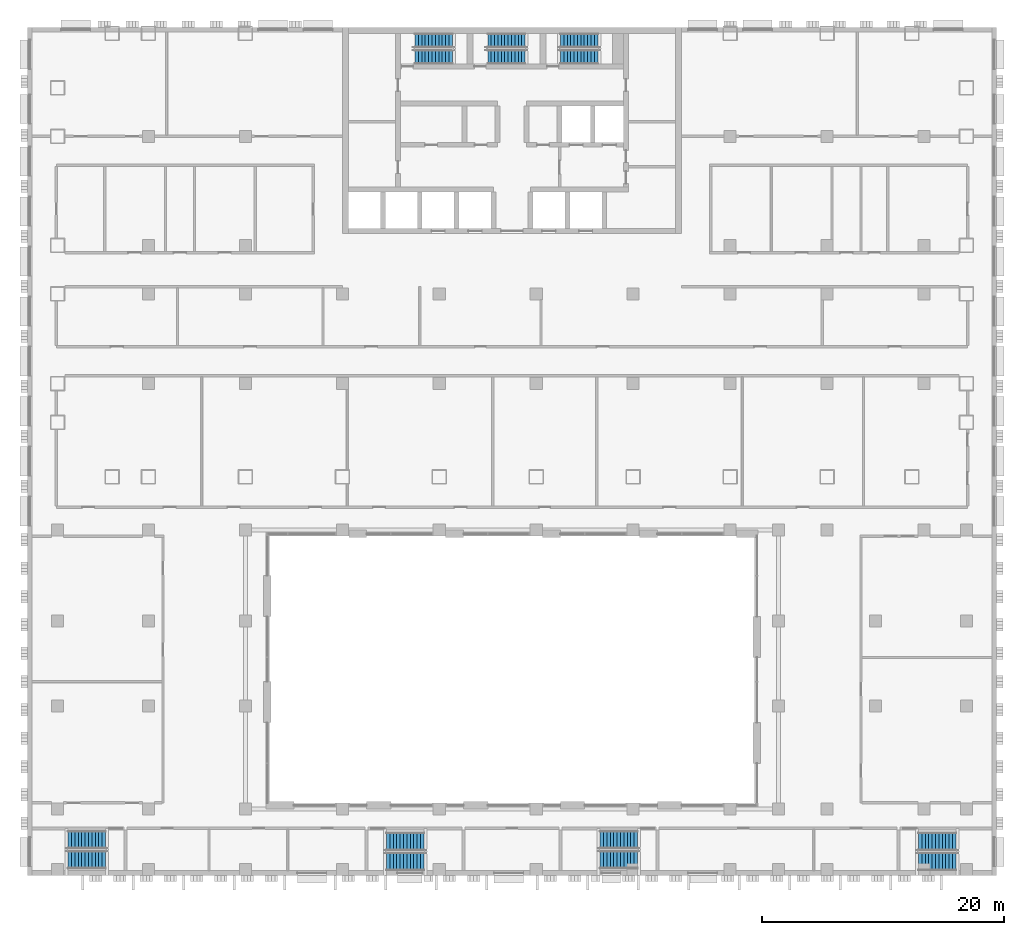
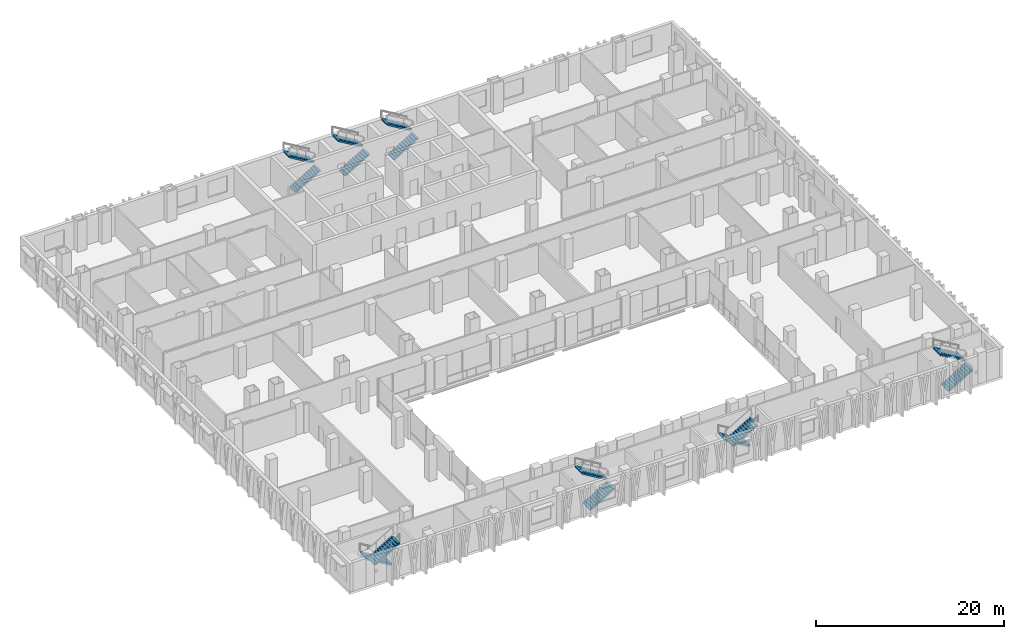
# One storey, part 17 of 25: 14 stair flights, 7 elements without a shape of their own.
"""IFC4 building model written with IfcOpenShell, lengths in metres."""

import ifcopenshell
import ifcopenshell.guid

model = None  # the IFC model being written
_history = None  # IfcOwnerHistory: only IFC2X3 demands one
_inside = {}  # id of a spatial element -> (the spatial element, [elements in it])
_under = {}  # id of a project, library or spatial element -> (it, [spatial elements below it])
_declared = {}  # id of a project -> (the project, [libraries it declares])
_typed = {}  # id of a type object -> (the type object, [elements of that type])
_made_of = {}  # id of a material, layer set ... -> (it, [elements and type objects made of it])


def new_model(schema):
    """Start an empty IFC model of exactly this schema.

    Asked for "IFC4X3", IfcOpenShell would pick the latest addendum, in which some entities
    have other attributes; the version numbers below select the first issue.
    IFC2X3 requires an IfcOwnerHistory on every rooted entity: one is made here for all.
    """
    global model, _history
    if schema == "IFC4X3":
        model = ifcopenshell.file(schema_version=(4, 3, 0, 0))
    else:
        model = ifcopenshell.file(schema=schema)
    _inside.clear()
    _under.clear()
    _declared.clear()
    _typed.clear()
    _made_of.clear()
    _history = None
    if model.schema == "IFC2X3":
        org = make("IfcOrganization", Name="unknown")
        user = make(
            "IfcPersonAndOrganization",
            ThePerson=make("IfcPerson", FamilyName="unknown"),
            TheOrganization=org,
        )
        app = make(
            "IfcApplication",
            ApplicationDeveloper=org,
            Version="unknown",
            ApplicationFullName="unknown",
            ApplicationIdentifier="unknown",
        )
        _history = make(
            "IfcOwnerHistory",
            OwningUser=user,
            OwningApplication=app,
            ChangeAction="ADDED",
            CreationDate=0,
        )
    return model


def make(cls, **values):
    """One entity of the class cls with the attributes given. An attribute that is None is left unset."""
    return model.create_entity(
        cls, **{name: value for name, value in values.items() if value is not None}
    )


def rooted(cls, **values):
    """An entity with a GlobalId (a new one), such as an element, a storey or a relation."""
    return make(cls, GlobalId=ifcopenshell.guid.new(), OwnerHistory=_history, **values)


def si_unit(unit_type, name, prefix=None):
    """IfcSIUnit, for example si_unit("LENGTHUNIT", "METRE", prefix="MILLI")."""
    return make("IfcSIUnit", UnitType=unit_type, Prefix=prefix, Name=name)


def assignment(units):
    """IfcUnitAssignment: the units of a project."""
    return None if units is None else make("IfcUnitAssignment", Units=units)


def point(xyz):
    """IfcCartesianPoint."""
    return None if xyz is None else make("IfcCartesianPoint", Coordinates=xyz)


def direction(xyz):
    """IfcDirection."""
    return None if xyz is None else make("IfcDirection", DirectionRatios=xyz)


def frame(location, z_axis=None, x_axis=None):
    """IfcAxis2Placement3D, a coordinate frame: its origin and axes. An axis left out is left unset."""
    return make(
        "IfcAxis2Placement3D",
        Location=point(location),
        Axis=direction(z_axis),
        RefDirection=direction(x_axis),
    )


def origin():
    """The frame at (0, 0, 0) with its axes left unset."""
    return frame((0.0, 0.0, 0.0))


def place(relative_to, where):
    """IfcLocalPlacement: puts the frame where relative to a parent placement (None: the world)."""
    return make(
        "IfcLocalPlacement", PlacementRelTo=relative_to, RelativePlacement=where
    )


def context(
    kind, dimensions, precision=None, world=None, true_north=None, identifier=None
):
    """IfcGeometricRepresentationContext, for example the 3D "Model" context."""
    return make(
        "IfcGeometricRepresentationContext",
        ContextIdentifier=identifier,
        ContextType=kind,
        CoordinateSpaceDimension=dimensions,
        Precision=precision,
        WorldCoordinateSystem=world,
        TrueNorth=true_north,
    )


def subcontext(parent, identifier, kind, view, scale=None):
    """IfcGeometricRepresentationSubContext, for example "Body" below "Model"."""
    return make(
        "IfcGeometricRepresentationSubContext",
        ContextIdentifier=identifier,
        ContextType=kind,
        ParentContext=parent,
        TargetScale=scale,
        TargetView=view,
    )


def project(units=None, contexts=None):
    """IfcProject with its units and contexts."""
    return rooted(
        "IfcProject",
        Name="project",
        RepresentationContexts=contexts,
        UnitsInContext=assignment(units),
    )


def spatial(cls, under=None, at=None, **own):
    """A site, building, storey or space (cls), placed at a placement, below another one or the project."""
    s = rooted(cls, ObjectPlacement=at, **own)
    if under is not None:
        _under.setdefault(under.id(), (under, []))[1].append(s)
    return s


def polyline(points):
    """IfcPolyline through the points."""
    return make("IfcPolyline", Points=[point(p) for p in points])


def outline(outer, holes=None, kind="AREA"):
    """IfcArbitraryClosedProfileDef: a profile drawn as a closed curve; with holes, ...WithVoids."""
    if holes is None:
        return make("IfcArbitraryClosedProfileDef", ProfileType=kind, OuterCurve=outer)
    return make(
        "IfcArbitraryProfileDefWithVoids",
        ProfileType=kind,
        OuterCurve=outer,
        InnerCurves=holes,
    )


def extrude(swept, where, along, depth):
    """IfcExtrudedAreaSolid: the profile swept, set in the frame where, extruded along a direction by depth."""
    return make(
        "IfcExtrudedAreaSolid",
        SweptArea=swept,
        Position=where,
        ExtrudedDirection=direction(along),
        Depth=depth,
    )


def shape(context_of_items, identifier, shape_type, items):
    """IfcShapeRepresentation: the items that make up one representation, for example the "Body"."""
    return make(
        "IfcShapeRepresentation",
        ContextOfItems=context_of_items,
        RepresentationIdentifier=identifier,
        RepresentationType=shape_type,
        Items=items,
    )


def material(Name=None, Category=None):
    """IfcMaterial."""
    return make("IfcMaterial", Name=Name, Category=Category)


def made_of(thing, what):
    """Note that an element or type object is made of a material, layer set ...; save() writes the relation."""
    if what is not None:
        _made_of.setdefault(what.id(), (what, []))[1].append(thing)
    return thing


def type_object(cls, material=None, **own):
    """A type object (cls), such as IfcWallType, which elements share."""
    return made_of(rooted(cls, **own), material)


def element(
    cls,
    number,
    at=None,
    inside=None,
    cuts=None,
    type_object=None,
    material=None,
    context=None,
    identifier="Body",
    shape_type=None,
    held_by="IfcProductDefinitionShape",
    body=None,
    shapes=None,
    **own,
):
    """One element of the class cls, such as IfcWall. Its Tag is "e" and its number.

    at: its placement. inside: the storey or other place that contains it. cuts: it is an
    opening in that element (IfcRelVoidsElement). A single representation is given by context,
    identifier, shape_type and body (its items); several are given by shapes. held_by: the class
    of the entity that holds the representations. save() writes the other relations.
    """
    e = rooted(cls, Tag="e%d" % number, ObjectPlacement=at, **own)
    if body is not None:
        shapes = [shape(context, identifier, shape_type, body)]
    if shapes is not None:
        e.Representation = make(held_by, Representations=shapes)
    if inside is not None:
        _inside.setdefault(inside.id(), (inside, []))[1].append(e)
    if cuts is not None:
        rooted(
            "IfcRelVoidsElement", RelatingBuildingElement=cuts, RelatedOpeningElement=e
        )
    if type_object is not None:
        _typed.setdefault(type_object.id(), (type_object, []))[1].append(e)
    return made_of(e, material)


def aggregate(whole, parts):
    """IfcRelAggregates: a whole, such as a stair, and the parts it consists of."""
    return rooted("IfcRelAggregates", RelatingObject=whole, RelatedObjects=parts)


def save(model, path):
    """Write the relations noted so far, then the file.

    IfcRelAggregates (storeys below a building ...), IfcRelContainedInSpatialStructure (elements
    in a storey), IfcRelDefinesByType, IfcRelAssociatesMaterial and IfcRelDeclares: one each for
    every whole, place, type object, material and project.
    """
    for whole, parts in _under.values():
        aggregate(whole, parts)
    for where, things in _inside.values():
        rooted(
            "IfcRelContainedInSpatialStructure",
            RelatedElements=things,
            RelatingStructure=where,
        )
    for kind, things in _typed.values():
        rooted("IfcRelDefinesByType", RelatedObjects=things, RelatingType=kind)
    for what, things in _made_of.values():
        rooted("IfcRelAssociatesMaterial", RelatedObjects=things, RelatingMaterial=what)
    for by, libraries in _declared.values():
        rooted("IfcRelDeclares", RelatingContext=by, RelatedDefinitions=libraries)
    model.write(path)


model = new_model("IFC4")

# Units and contexts
model_context = context("Model", 3, precision=1e-05, world=origin(), true_north=direction((0.0, 1.0)))
body_context = subcontext(model_context, "Body", "Model", "MODEL_VIEW")
ifc_project = project(units=[si_unit("LENGTHUNIT", "METRE"), si_unit("AREAUNIT", "SQUARE_METRE"), si_unit("VOLUMEUNIT", "CUBIC_METRE"), si_unit("PLANEANGLEUNIT", "RADIAN"), si_unit("MASSUNIT", "GRAM", prefix="KILO")], contexts=[model_context])

# Site, building, storey
site_placement = place(None, origin())
site = spatial("IfcSite", under=ifc_project, at=site_placement, CompositionType="ELEMENT")
building_placement = place(site_placement, origin())
building = spatial("IfcBuilding", under=site, at=building_placement, Name="Vidyagriha Tower", CompositionType="ELEMENT")
storey_placement = place(building_placement, frame((0.0, 0.0, 14.0)))
storey = spatial("IfcBuildingStorey", under=building, at=storey_placement, Name="L03", CompositionType="ELEMENT", Elevation=14.0)

# Stair, stair flights
ifc_material_1 = material(Name="Concrete C40/50", Category="concrete")
stair_type_1 = type_object("IfcStairType", Name="Exit stair, half-turn, precast flights", PredefinedType="HALF_TURN_STAIR", material=ifc_material_1)
stair_1_placement = place(storey_placement, origin())
stair_1 = element("IfcStair", 1, at=stair_1_placement, inside=storey, type_object=stair_type_1, Name="L03 Exit Stair ST1", PredefinedType="HALF_TURN_STAIR")
ifc_material_2 = material(Name="Precast concrete C40/50", Category="concrete")
stair_flight_type_1 = type_object("IfcStairFlightType", Name="Exit stair flight 1200 mm, precast", PredefinedType="STRAIGHT", material=ifc_material_2)
stair_flight_1_placement = place(storey_placement, frame((-8.0, 17.550048828125, 0.0)))
stair_flight_1 = element("IfcStairFlight", 2, at=stair_flight_1_placement, type_object=stair_flight_type_1, Name="ST1 flight 1", NumberOfRisers=12, NumberOfTreads=11, PredefinedType="STRAIGHT", RiserHeight=0.166666667, TreadLength=0.28, context=body_context, shape_type="SweptSolid", body=[
    extrude(outline(polyline([(0.0, 0.0), (0.0, 0.166748046875), (0.280029296875, 0.166748046875), (0.280029296875, 0.333251953125), (0.56005859375, 0.333251953125), (0.56005859375, 0.5), (0.840087890625, 0.5), (0.840087890625, 0.666748046875), (1.1201171875, 0.666748046875), (1.1201171875, 0.833251953125), (1.39990234375, 0.833251953125), (1.39990234375, 1.0), (1.679931640625, 1.0), (1.679931640625, 1.166748046875), (1.9599609375, 1.166748046875), (1.9599609375, 1.333251953125), (2.239990234375, 1.333251953125), (2.239990234375, 1.5), (2.52001953125, 1.5), (2.52001953125, 1.666748046875), (2.800048828125, 1.666748046875), (2.800048828125, 1.833251953125), (3.080078125, 1.833251953125), (3.080078125, 2.0), (3.080078125, 1.658935546875), (0.29296875, 0.0), (0.0, 0.0)])), frame((0.0, 0.60009765625, 0.0), z_axis=(0.0, -1.0, 0.0), x_axis=(1.0, 0.0, 0.0)), (0.0, 0.0, 1.0), 1.199951171875),
])
stair_flight_2_placement = place(storey_placement, frame((-4.919921875, 18.89990234375, 2.0), z_axis=(0.0, 0.0, 1.0), x_axis=(-1.0, 0.0, 0.0)))
stair_flight_2 = element("IfcStairFlight", 3, at=stair_flight_2_placement, type_object=stair_flight_type_1, Name="ST1 flight 2", NumberOfRisers=12, NumberOfTreads=11, PredefinedType="STRAIGHT", RiserHeight=0.166666667, TreadLength=0.28, context=body_context, shape_type="SweptSolid", body=[
    extrude(outline(polyline([(0.0, 0.0), (0.0, 0.166748046875), (0.280029296875, 0.166748046875), (0.280029296875, 0.333251953125), (0.56005859375, 0.333251953125), (0.56005859375, 0.5), (0.840087890625, 0.5), (0.840087890625, 0.666748046875), (1.1201171875, 0.666748046875), (1.1201171875, 0.833251953125), (1.39990234375, 0.833251953125), (1.39990234375, 1.0), (1.679931640625, 1.0), (1.679931640625, 1.166748046875), (1.9599609375, 1.166748046875), (1.9599609375, 1.333251953125), (2.239990234375, 1.333251953125), (2.239990234375, 1.5), (2.52001953125, 1.5), (2.52001953125, 1.666748046875), (2.800048828125, 1.666748046875), (2.800048828125, 1.833251953125), (3.080078125, 1.833251953125), (3.080078125, 2.0), (3.080078125, 1.658935546875), (0.29296875, 0.0), (0.0, 0.0)])), frame((0.0, 0.60009765625, 0.0), z_axis=(0.0, -1.0, 0.0), x_axis=(1.0, 0.0, 0.0)), (0.0, 0.0, 1.0), 1.199951171875),
])
aggregate(stair_1, [stair_flight_1, stair_flight_2])

stair_2_placement = place(storey_placement, origin())
stair_2 = element("IfcStair", 4, at=stair_2_placement, inside=storey, type_object=stair_type_1, Name="L03 Exit Stair ST2", PredefinedType="HALF_TURN_STAIR")
stair_flight_3_placement = place(storey_placement, frame((-2.0, 17.550048828125, 0.0)))
stair_flight_3 = element("IfcStairFlight", 5, at=stair_flight_3_placement, type_object=stair_flight_type_1, Name="ST2 flight 1", NumberOfRisers=12, NumberOfTreads=11, PredefinedType="STRAIGHT", RiserHeight=0.166666667, TreadLength=0.28, context=body_context, shape_type="SweptSolid", body=[
    extrude(outline(polyline([(0.0, 0.0), (0.0, 0.166748046875), (0.280029296875, 0.166748046875), (0.280029296875, 0.333251953125), (0.56005859375, 0.333251953125), (0.56005859375, 0.5), (0.840087890625, 0.5), (0.840087890625, 0.666748046875), (1.1201171875, 0.666748046875), (1.1201171875, 0.833251953125), (1.39990234375, 0.833251953125), (1.39990234375, 1.0), (1.679931640625, 1.0), (1.679931640625, 1.166748046875), (1.9599609375, 1.166748046875), (1.9599609375, 1.333251953125), (2.239990234375, 1.333251953125), (2.239990234375, 1.5), (2.52001953125, 1.5), (2.52001953125, 1.666748046875), (2.800048828125, 1.666748046875), (2.800048828125, 1.833251953125), (3.080078125, 1.833251953125), (3.080078125, 2.0), (3.080078125, 1.658935546875), (0.29296875, 0.0), (0.0, 0.0)])), frame((0.0, 0.60009765625, 0.0), z_axis=(0.0, -1.0, 0.0), x_axis=(1.0, 0.0, 0.0)), (0.0, 0.0, 1.0), 1.199951171875),
])
stair_flight_4_placement = place(storey_placement, frame((1.080078125, 18.89990234375, 2.0), z_axis=(0.0, 0.0, 1.0), x_axis=(-1.0, 0.0, 0.0)))
stair_flight_4 = element("IfcStairFlight", 6, at=stair_flight_4_placement, type_object=stair_flight_type_1, Name="ST2 flight 2", NumberOfRisers=12, NumberOfTreads=11, PredefinedType="STRAIGHT", RiserHeight=0.166666667, TreadLength=0.28, context=body_context, shape_type="SweptSolid", body=[
    extrude(outline(polyline([(0.0, 0.0), (0.0, 0.166748046875), (0.280029296875, 0.166748046875), (0.280029296875, 0.333251953125), (0.56005859375, 0.333251953125), (0.56005859375, 0.5), (0.840087890625, 0.5), (0.840087890625, 0.666748046875), (1.1201171875, 0.666748046875), (1.1201171875, 0.833251953125), (1.39990234375, 0.833251953125), (1.39990234375, 1.0), (1.679931640625, 1.0), (1.679931640625, 1.166748046875), (1.9599609375, 1.166748046875), (1.9599609375, 1.333251953125), (2.239990234375, 1.333251953125), (2.239990234375, 1.5), (2.52001953125, 1.5), (2.52001953125, 1.666748046875), (2.800048828125, 1.666748046875), (2.800048828125, 1.833251953125), (3.080078125, 1.833251953125), (3.080078125, 2.0), (3.080078125, 1.658935546875), (0.29296875, 0.0), (0.0, 0.0)])), frame((0.0, 0.60009765625, 0.0), z_axis=(0.0, -1.0, 0.0), x_axis=(1.0, 0.0, 0.0)), (0.0, 0.0, 1.0), 1.199951171875),
])
aggregate(stair_2, [stair_flight_3, stair_flight_4])

stair_3_placement = place(storey_placement, origin())
stair_3 = element("IfcStair", 7, at=stair_3_placement, inside=storey, type_object=stair_type_1, Name="L03 Exit Stair ST3", PredefinedType="HALF_TURN_STAIR")
stair_flight_5_placement = place(storey_placement, frame((4.0, 17.550048828125, 0.0)))
stair_flight_5 = element("IfcStairFlight", 8, at=stair_flight_5_placement, type_object=stair_flight_type_1, Name="ST3 flight 1", NumberOfRisers=12, NumberOfTreads=11, PredefinedType="STRAIGHT", RiserHeight=0.166666667, TreadLength=0.28, context=body_context, shape_type="SweptSolid", body=[
    extrude(outline(polyline([(0.0, 0.0), (0.0, 0.166748046875), (0.280029296875, 0.166748046875), (0.280029296875, 0.333251953125), (0.56005859375, 0.333251953125), (0.56005859375, 0.5), (0.840087890625, 0.5), (0.840087890625, 0.666748046875), (1.1201171875, 0.666748046875), (1.1201171875, 0.833251953125), (1.39990234375, 0.833251953125), (1.39990234375, 1.0), (1.679931640625, 1.0), (1.679931640625, 1.166748046875), (1.9599609375, 1.166748046875), (1.9599609375, 1.333251953125), (2.239990234375, 1.333251953125), (2.239990234375, 1.5), (2.52001953125, 1.5), (2.52001953125, 1.666748046875), (2.800048828125, 1.666748046875), (2.800048828125, 1.833251953125), (3.080078125, 1.833251953125), (3.080078125, 2.0), (3.080078125, 1.658935546875), (0.29296875, 0.0), (0.0, 0.0)])), frame((0.0, 0.60009765625, 0.0), z_axis=(0.0, -1.0, 0.0), x_axis=(1.0, 0.0, 0.0)), (0.0, 0.0, 1.0), 1.199951171875),
])
stair_flight_6_placement = place(storey_placement, frame((7.080078125, 18.89990234375, 2.0), z_axis=(0.0, 0.0, 1.0), x_axis=(-1.0, 0.0, 0.0)))
stair_flight_6 = element("IfcStairFlight", 9, at=stair_flight_6_placement, type_object=stair_flight_type_1, Name="ST3 flight 2", NumberOfRisers=12, NumberOfTreads=11, PredefinedType="STRAIGHT", RiserHeight=0.166666667, TreadLength=0.28, context=body_context, shape_type="SweptSolid", body=[
    extrude(outline(polyline([(0.0, 0.0), (0.0, 0.166748046875), (0.280029296875, 0.166748046875), (0.280029296875, 0.333251953125), (0.56005859375, 0.333251953125), (0.56005859375, 0.5), (0.840087890625, 0.5), (0.840087890625, 0.666748046875), (1.1201171875, 0.666748046875), (1.1201171875, 0.833251953125), (1.39990234375, 0.833251953125), (1.39990234375, 1.0), (1.679931640625, 1.0), (1.679931640625, 1.166748046875), (1.9599609375, 1.166748046875), (1.9599609375, 1.333251953125), (2.239990234375, 1.333251953125), (2.239990234375, 1.5), (2.52001953125, 1.5), (2.52001953125, 1.666748046875), (2.800048828125, 1.666748046875), (2.800048828125, 1.833251953125), (3.080078125, 1.833251953125), (3.080078125, 2.0), (3.080078125, 1.658935546875), (0.29296875, 0.0), (0.0, 0.0)])), frame((0.0, 0.60009765625, 0.0), z_axis=(0.0, -1.0, 0.0), x_axis=(1.0, 0.0, 0.0)), (0.0, 0.0, 1.0), 1.199951171875),
])
aggregate(stair_3, [stair_flight_5, stair_flight_6])

ifc_material_3 = material(Name="Concrete C32/40", Category="concrete")
stair_type_2 = type_object("IfcStairType", Name="Podium Exit Stair 1500", PredefinedType="HALF_TURN_STAIR", material=ifc_material_3)
stair_4_placement = place(storey_placement, origin())
stair_4 = element("IfcStair", 10, at=stair_4_placement, inside=storey, type_object=stair_type_2, Name="L03 Exit Stair PS1", PredefinedType="HALF_TURN_STAIR")
ifc_material_4 = material(Name="Concrete C32/40", Category="concrete")
stair_flight_type_2 = type_object("IfcStairFlightType", Name="Podium Stair Flight 1500", PredefinedType="STRAIGHT", material=ifc_material_4)
stair_flight_7_placement = place(storey_placement, frame((-33.544921875, -47.050048828125, 0.0), z_axis=(0.0, 0.0, 1.0), x_axis=(-1.0, 0.0, 0.0)))
stair_flight_7 = element("IfcStairFlight", 11, at=stair_flight_7_placement, type_object=stair_flight_type_2, Name="PS1 flight 1", NumberOfRisers=12, NumberOfTreads=11, PredefinedType="STRAIGHT", RiserHeight=0.166666667, TreadLength=0.28, context=body_context, shape_type="SweptSolid", body=[
    extrude(outline(polyline([(0.0, 0.0), (0.0, 0.166748046875), (0.280029296875, 0.166748046875), (0.280029296875, 0.333251953125), (0.56005859375, 0.333251953125), (0.56005859375, 0.5), (0.840087890625, 0.5), (0.840087890625, 0.666748046875), (1.1201171875, 0.666748046875), (1.1201171875, 0.833251953125), (1.39990234375, 0.833251953125), (1.39990234375, 1.0), (1.679931640625, 1.0), (1.679931640625, 1.166748046875), (1.9599609375, 1.166748046875), (1.9599609375, 1.333251953125), (2.239990234375, 1.333251953125), (2.239990234375, 1.5), (2.52001953125, 1.5), (2.52001953125, 1.666748046875), (2.800048828125, 1.666748046875), (2.800048828125, 1.833251953125), (3.080078125, 1.833251953125), (3.080078125, 2.0), (3.080078125, 1.658935546875), (0.29296875, 0.0), (0.0, 0.0)])), frame((0.0, 0.75, 0.0), z_axis=(0.0, -1.0, 0.0), x_axis=(1.0, 0.0, 0.0)), (0.0, 0.0, 1.0), 1.5),
])
stair_flight_8_placement = place(storey_placement, frame((-36.625, -48.699951171875, 2.0)))
stair_flight_8 = element("IfcStairFlight", 12, at=stair_flight_8_placement, type_object=stair_flight_type_2, Name="PS1 flight 2", NumberOfRisers=12, NumberOfTreads=11, PredefinedType="STRAIGHT", RiserHeight=0.166666667, TreadLength=0.28, context=body_context, shape_type="SweptSolid", body=[
    extrude(outline(polyline([(0.0, 0.0), (0.0, 0.166748046875), (0.280029296875, 0.166748046875), (0.280029296875, 0.333251953125), (0.56005859375, 0.333251953125), (0.56005859375, 0.5), (0.840087890625, 0.5), (0.840087890625, 0.666748046875), (1.1201171875, 0.666748046875), (1.1201171875, 0.833251953125), (1.39990234375, 0.833251953125), (1.39990234375, 1.0), (1.679931640625, 1.0), (1.679931640625, 1.166748046875), (1.9599609375, 1.166748046875), (1.9599609375, 1.333251953125), (2.239990234375, 1.333251953125), (2.239990234375, 1.5), (2.52001953125, 1.5), (2.52001953125, 1.666748046875), (2.800048828125, 1.666748046875), (2.800048828125, 1.833251953125), (3.080078125, 1.833251953125), (3.080078125, 2.0), (3.080078125, 1.658935546875), (0.29296875, 0.0), (0.0, 0.0)])), frame((0.0, 0.75, 0.0), z_axis=(0.0, -1.0, 0.0), x_axis=(1.0, 0.0, 0.0)), (0.0, 0.0, 1.0), 1.5),
])
aggregate(stair_4, [stair_flight_7, stair_flight_8])

stair_5_placement = place(storey_placement, origin())
stair_5 = element("IfcStair", 13, at=stair_5_placement, inside=storey, type_object=stair_type_2, Name="L03 Exit Stair PS2", PredefinedType="HALF_TURN_STAIR")
stair_flight_9_placement = place(storey_placement, frame((33.544921875, -48.85009765625, 0.0)))
stair_flight_9 = element("IfcStairFlight", 14, at=stair_flight_9_placement, type_object=stair_flight_type_2, Name="PS2 flight 1", NumberOfRisers=12, NumberOfTreads=11, PredefinedType="STRAIGHT", RiserHeight=0.166666667, TreadLength=0.28, context=body_context, shape_type="SweptSolid", body=[
    extrude(outline(polyline([(0.0, 0.0), (0.0, 0.166748046875), (0.280029296875, 0.166748046875), (0.280029296875, 0.333251953125), (0.56005859375, 0.333251953125), (0.56005859375, 0.5), (0.840087890625, 0.5), (0.840087890625, 0.666748046875), (1.1201171875, 0.666748046875), (1.1201171875, 0.833251953125), (1.39990234375, 0.833251953125), (1.39990234375, 1.0), (1.679931640625, 1.0), (1.679931640625, 1.166748046875), (1.9599609375, 1.166748046875), (1.9599609375, 1.333251953125), (2.239990234375, 1.333251953125), (2.239990234375, 1.5), (2.52001953125, 1.5), (2.52001953125, 1.666748046875), (2.800048828125, 1.666748046875), (2.800048828125, 1.833251953125), (3.080078125, 1.833251953125), (3.080078125, 2.0), (3.080078125, 1.658935546875), (0.29296875, 0.0), (0.0, 0.0)])), frame((0.0, 0.75, 0.0), z_axis=(0.0, -1.0, 0.0), x_axis=(1.0, 0.0, 0.0)), (0.0, 0.0, 1.0), 1.5),
])
stair_flight_10_placement = place(storey_placement, frame((36.625, -47.199951171875, 2.0), z_axis=(0.0, 0.0, 1.0), x_axis=(-1.0, 0.0, 0.0)))
stair_flight_10 = element("IfcStairFlight", 15, at=stair_flight_10_placement, type_object=stair_flight_type_2, Name="PS2 flight 2", NumberOfRisers=12, NumberOfTreads=11, PredefinedType="STRAIGHT", RiserHeight=0.166666667, TreadLength=0.28, context=body_context, shape_type="SweptSolid", body=[
    extrude(outline(polyline([(0.0, 0.0), (0.0, 0.166748046875), (0.280029296875, 0.166748046875), (0.280029296875, 0.333251953125), (0.56005859375, 0.333251953125), (0.56005859375, 0.5), (0.840087890625, 0.5), (0.840087890625, 0.666748046875), (1.1201171875, 0.666748046875), (1.1201171875, 0.833251953125), (1.39990234375, 0.833251953125), (1.39990234375, 1.0), (1.679931640625, 1.0), (1.679931640625, 1.166748046875), (1.9599609375, 1.166748046875), (1.9599609375, 1.333251953125), (2.239990234375, 1.333251953125), (2.239990234375, 1.5), (2.52001953125, 1.5), (2.52001953125, 1.666748046875), (2.800048828125, 1.666748046875), (2.800048828125, 1.833251953125), (3.080078125, 1.833251953125), (3.080078125, 2.0), (3.080078125, 1.658935546875), (0.29296875, 0.0), (0.0, 0.0)])), frame((0.0, 0.75, 0.0), z_axis=(0.0, -1.0, 0.0), x_axis=(1.0, 0.0, 0.0)), (0.0, 0.0, 1.0), 1.5),
])
aggregate(stair_5, [stair_flight_9, stair_flight_10])

stair_6_placement = place(storey_placement, origin())
stair_6 = element("IfcStair", 16, at=stair_6_placement, inside=storey, type_object=stair_type_2, Name="L03 Exit Stair PS3", PredefinedType="HALF_TURN_STAIR")
stair_flight_11_placement = place(storey_placement, frame((-10.35498046875, -48.85009765625, 0.0)))
stair_flight_11 = element("IfcStairFlight", 17, at=stair_flight_11_placement, type_object=stair_flight_type_2, Name="PS3 flight 1", NumberOfRisers=12, NumberOfTreads=11, PredefinedType="STRAIGHT", RiserHeight=0.166666667, TreadLength=0.28, context=body_context, shape_type="SweptSolid", body=[
    extrude(outline(polyline([(0.0, 0.0), (0.0, 0.166748046875), (0.280029296875, 0.166748046875), (0.280029296875, 0.333251953125), (0.56005859375, 0.333251953125), (0.56005859375, 0.5), (0.840087890625, 0.5), (0.840087890625, 0.666748046875), (1.1201171875, 0.666748046875), (1.1201171875, 0.833251953125), (1.39990234375, 0.833251953125), (1.39990234375, 1.0), (1.679931640625, 1.0), (1.679931640625, 1.166748046875), (1.9599609375, 1.166748046875), (1.9599609375, 1.333251953125), (2.239990234375, 1.333251953125), (2.239990234375, 1.5), (2.52001953125, 1.5), (2.52001953125, 1.666748046875), (2.800048828125, 1.666748046875), (2.800048828125, 1.833251953125), (3.080078125, 1.833251953125), (3.080078125, 2.0), (3.080078125, 1.658935546875), (0.29296875, 0.0), (0.0, 0.0)])), frame((0.0, 0.75, 0.0), z_axis=(0.0, -1.0, 0.0), x_axis=(1.0, 0.0, 0.0)), (0.0, 0.0, 1.0), 1.5),
])
stair_flight_12_placement = place(storey_placement, frame((-7.27490234375, -47.199951171875, 2.0), z_axis=(0.0, 0.0, 1.0), x_axis=(-1.0, 0.0, 0.0)))
stair_flight_12 = element("IfcStairFlight", 18, at=stair_flight_12_placement, type_object=stair_flight_type_2, Name="PS3 flight 2", NumberOfRisers=12, NumberOfTreads=11, PredefinedType="STRAIGHT", RiserHeight=0.166666667, TreadLength=0.28, context=body_context, shape_type="SweptSolid", body=[
    extrude(outline(polyline([(0.0, 0.0), (0.0, 0.166748046875), (0.280029296875, 0.166748046875), (0.280029296875, 0.333251953125), (0.56005859375, 0.333251953125), (0.56005859375, 0.5), (0.840087890625, 0.5), (0.840087890625, 0.666748046875), (1.1201171875, 0.666748046875), (1.1201171875, 0.833251953125), (1.39990234375, 0.833251953125), (1.39990234375, 1.0), (1.679931640625, 1.0), (1.679931640625, 1.166748046875), (1.9599609375, 1.166748046875), (1.9599609375, 1.333251953125), (2.239990234375, 1.333251953125), (2.239990234375, 1.5), (2.52001953125, 1.5), (2.52001953125, 1.666748046875), (2.800048828125, 1.666748046875), (2.800048828125, 1.833251953125), (3.080078125, 1.833251953125), (3.080078125, 2.0), (3.080078125, 1.658935546875), (0.29296875, 0.0), (0.0, 0.0)])), frame((0.0, 0.75, 0.0), z_axis=(0.0, -1.0, 0.0), x_axis=(1.0, 0.0, 0.0)), (0.0, 0.0, 1.0), 1.5),
])
aggregate(stair_6, [stair_flight_11, stair_flight_12])

stair_7_placement = place(storey_placement, origin())
stair_7 = element("IfcStair", 19, at=stair_7_placement, inside=storey, type_object=stair_type_2, Name="L03 Exit Stair PS4", PredefinedType="HALF_TURN_STAIR")
stair_flight_13_placement = place(storey_placement, frame((10.35498046875, -47.050048828125, 0.0), z_axis=(0.0, 0.0, 1.0), x_axis=(-1.0, 0.0, 0.0)))
stair_flight_13 = element("IfcStairFlight", 20, at=stair_flight_13_placement, type_object=stair_flight_type_2, Name="PS4 flight 1", NumberOfRisers=12, NumberOfTreads=11, PredefinedType="STRAIGHT", RiserHeight=0.166666667, TreadLength=0.28, context=body_context, shape_type="SweptSolid", body=[
    extrude(outline(polyline([(0.0, 0.0), (0.0, 0.166748046875), (0.280029296875, 0.166748046875), (0.280029296875, 0.333251953125), (0.56005859375, 0.333251953125), (0.56005859375, 0.5), (0.840087890625, 0.5), (0.840087890625, 0.666748046875), (1.1201171875, 0.666748046875), (1.1201171875, 0.833251953125), (1.39990234375, 0.833251953125), (1.39990234375, 1.0), (1.679931640625, 1.0), (1.679931640625, 1.166748046875), (1.9599609375, 1.166748046875), (1.9599609375, 1.333251953125), (2.239990234375, 1.333251953125), (2.239990234375, 1.5), (2.52001953125, 1.5), (2.52001953125, 1.666748046875), (2.800048828125, 1.666748046875), (2.800048828125, 1.833251953125), (3.080078125, 1.833251953125), (3.080078125, 2.0), (3.080078125, 1.658935546875), (0.29296875, 0.0), (0.0, 0.0)])), frame((0.0, 0.75, 0.0), z_axis=(0.0, -1.0, 0.0), x_axis=(1.0, 0.0, 0.0)), (0.0, 0.0, 1.0), 1.5),
])
stair_flight_14_placement = place(storey_placement, frame((7.27490234375, -48.699951171875, 2.0)))
stair_flight_14 = element("IfcStairFlight", 21, at=stair_flight_14_placement, type_object=stair_flight_type_2, Name="PS4 flight 2", NumberOfRisers=12, NumberOfTreads=11, PredefinedType="STRAIGHT", RiserHeight=0.166666667, TreadLength=0.28, context=body_context, shape_type="SweptSolid", body=[
    extrude(outline(polyline([(0.0, 0.0), (0.0, 0.166748046875), (0.280029296875, 0.166748046875), (0.280029296875, 0.333251953125), (0.56005859375, 0.333251953125), (0.56005859375, 0.5), (0.840087890625, 0.5), (0.840087890625, 0.666748046875), (1.1201171875, 0.666748046875), (1.1201171875, 0.833251953125), (1.39990234375, 0.833251953125), (1.39990234375, 1.0), (1.679931640625, 1.0), (1.679931640625, 1.166748046875), (1.9599609375, 1.166748046875), (1.9599609375, 1.333251953125), (2.239990234375, 1.333251953125), (2.239990234375, 1.5), (2.52001953125, 1.5), (2.52001953125, 1.666748046875), (2.800048828125, 1.666748046875), (2.800048828125, 1.833251953125), (3.080078125, 1.833251953125), (3.080078125, 2.0), (3.080078125, 1.658935546875), (0.29296875, 0.0), (0.0, 0.0)])), frame((0.0, 0.75, 0.0), z_axis=(0.0, -1.0, 0.0), x_axis=(1.0, 0.0, 0.0)), (0.0, 0.0, 1.0), 1.5),
])
aggregate(stair_7, [stair_flight_13, stair_flight_14])

save(model, "model.ifc")
